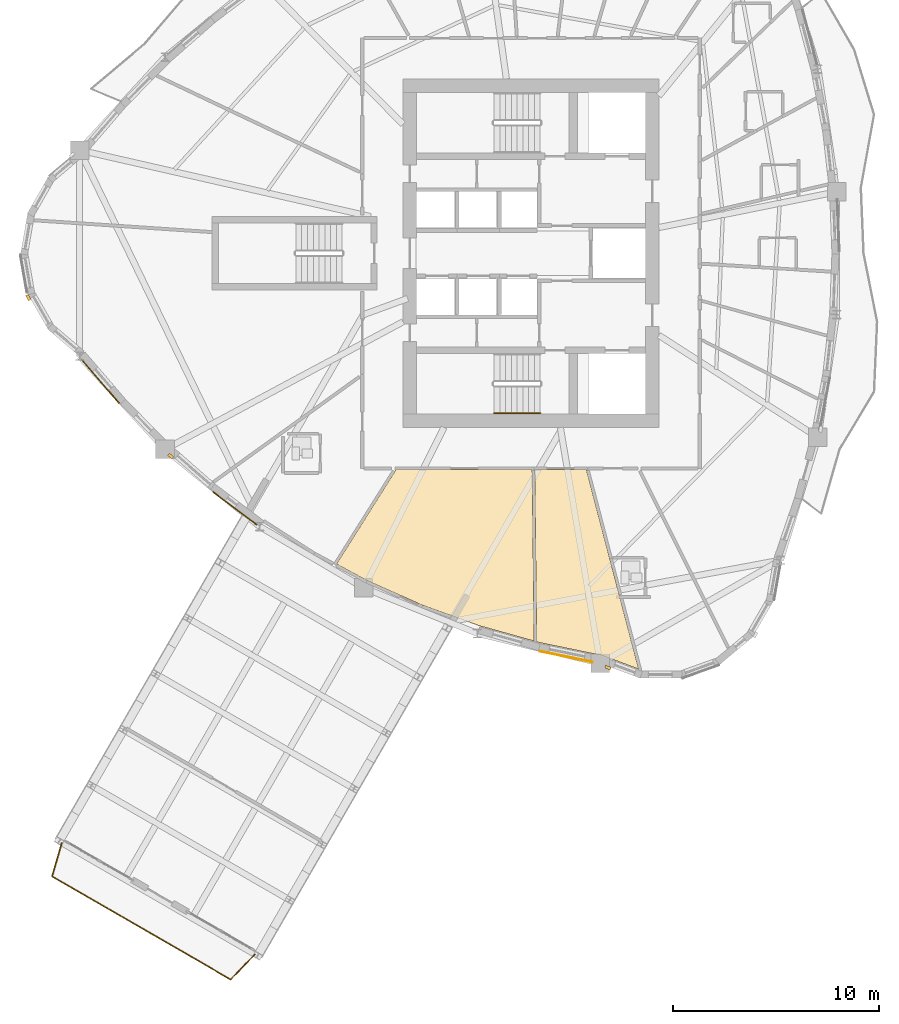
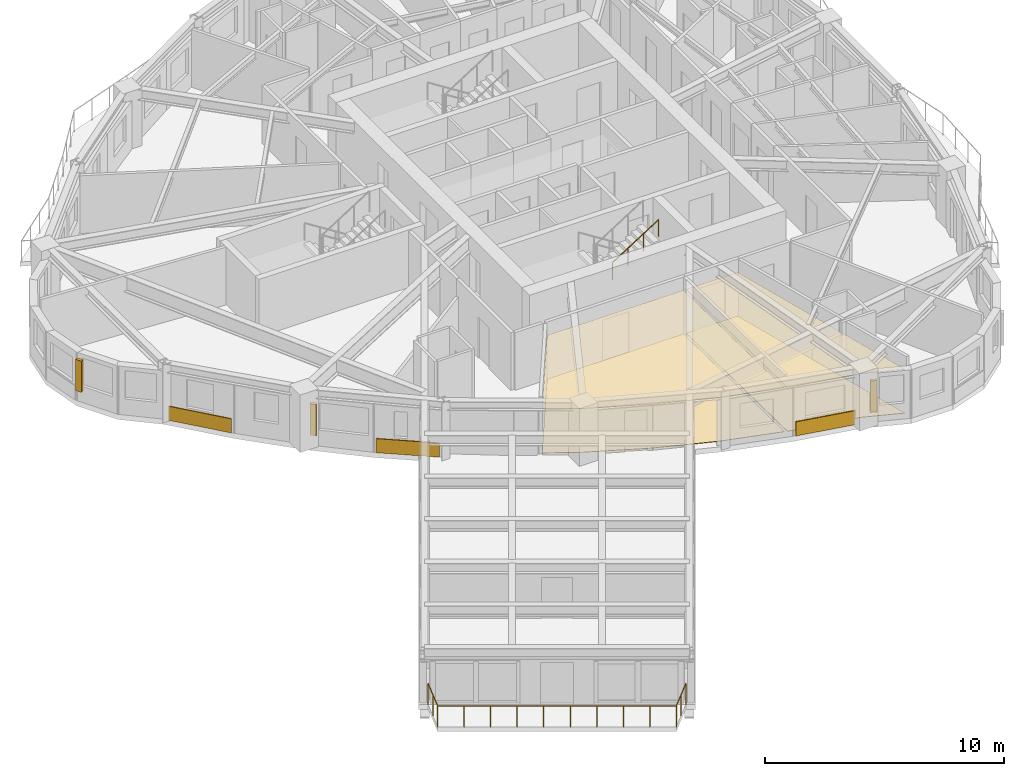
# One storey, part 12 of 17: 7 coverings, 3 shading devices, 2 railings.
"""IFC4 building model written with IfcOpenShell, lengths in metres."""

from ifc_helpers import new_model, si_unit, direction, frame, origin, origin_2d, place, context, subcontext, project, spatial, polyline, rectangle, circle, outline, extrude, source, transform, mapped, material, layer, layer_set, type_object, element, save


model = new_model("IFC4")

# Units and contexts
model_context = context("Model", 3, precision=1e-05, world=origin(), true_north=direction((0.0, 1.0)))
body_context = subcontext(model_context, "Body", "Model", "MODEL_VIEW")
ifc_project = project(units=[si_unit("LENGTHUNIT", "METRE"), si_unit("AREAUNIT", "SQUARE_METRE"), si_unit("VOLUMEUNIT", "CUBIC_METRE"), si_unit("PLANEANGLEUNIT", "RADIAN"), si_unit("MASSUNIT", "GRAM", prefix="KILO")], contexts=[model_context])

# Site, building, storey
site_placement = place(None, origin())
site = spatial("IfcSite", under=ifc_project, at=site_placement, CompositionType="ELEMENT")
building_placement = place(site_placement, origin())
building = spatial("IfcBuilding", under=site, at=building_placement, Name="Qafzar Sky-Pleat Residences", CompositionType="ELEMENT")
storey_placement = place(building_placement, frame((0.0, 0.0, 115.199951171875)))
storey = spatial("IfcBuildingStorey", under=building, at=storey_placement, Name="L34", CompositionType="ELEMENT", Elevation=115.199951171875)

# Coverings
ifc_material_1 = material(Name="Perforated acoustic gypsum board ceiling")
ifc_layer_1 = layer(ifc_material_1, 0.02001953125)
ifc_layer_set_1 = layer_set([ifc_layer_1], Name="Perforated acoustic gypsum board ceiling")
covering_type_1 = type_object("IfcCoveringType", Name="COV-CEIL-ACOUSTIC", PredefinedType="CEILING", material=ifc_layer_set_1)
covering_1_placement = place(storey_placement, frame((0.0, 0.0, 2.239990234375)))
element("IfcCovering", 1, at=covering_1_placement, inside=storey, type_object=covering_type_1, Name="L34 Co-Living Lounge Acoustic Ceiling", PredefinedType="CEILING", context=body_context, shape_type="SweptSolid", body=[
    extrude(outline(polyline([(27.872314453125, 7.941162109375), (25.09375, 8.939697265625), (22.427734375, 10.127685546875), (20.929443359375, 10.93603515625), (23.811279296875, 15.510009765625), (30.41162109375, 15.510009765625), (30.50830078125, 7.203857421875), (27.872314453125, 7.941162109375)])), origin(), (0.0, 0.0, 1.0), 0.02001953125),
])
covering_2_placement = place(storey_placement, frame((0.0, 0.0, 2.239990234375)))
element("IfcCovering", 2, at=covering_2_placement, inside=storey, type_object=covering_type_1, Name="L34 Communal Kitchen Acoustic Ceiling", PredefinedType="CEILING", context=body_context, shape_type="SweptSolid", body=[
    extrude(outline(polyline([(33.8125, 6.504150390625), (30.764404296875, 7.132080078125), (30.628662109375, 7.170166015625), (30.53173828125, 15.510009765625), (33.03759765625, 15.510009765625), (35.570556640625, 5.84765625), (33.8125, 6.504150390625)])), origin(), (0.0, 0.0, 1.0), 0.02001953125),
])
ifc_material_2 = material(Name="Honed porcelain and Riyadh stone tile flooring", Category="masonry")
ifc_layer_2 = layer(ifc_material_2, 0.02001953125)
ifc_layer_set_2 = layer_set([ifc_layer_2], Name="Honed porcelain and Riyadh stone tile flooring")
covering_type_2 = type_object("IfcCoveringType", Name="COV-FLR-PORCELAIN", PredefinedType="FLOORING", material=ifc_layer_set_2)
covering_3_placement = place(storey_placement, origin())
element("IfcCovering", 3, at=covering_3_placement, inside=storey, type_object=covering_type_2, Name="L34 Co-Living Lounge Honed Stone Flooring", PredefinedType="FLOORING", context=body_context, shape_type="SweptSolid", body=[
    extrude(outline(polyline([(27.872314453125, 7.941162109375), (25.09375, 8.939697265625), (22.427734375, 10.127685546875), (20.929443359375, 10.93603515625), (23.811279296875, 15.510009765625), (30.41162109375, 15.510009765625), (30.50830078125, 7.203857421875), (27.872314453125, 7.941162109375)])), origin(), (0.0, 0.0, 1.0), 0.02001953125),
])
covering_4_placement = place(storey_placement, origin())
element("IfcCovering", 4, at=covering_4_placement, inside=storey, type_object=covering_type_2, Name="L34 Communal Kitchen Honed Stone Flooring", PredefinedType="FLOORING", context=body_context, shape_type="SweptSolid", body=[
    extrude(outline(polyline([(33.8125, 6.504150390625), (30.764404296875, 7.132080078125), (30.628662109375, 7.170166015625), (30.53173828125, 15.510009765625), (33.03759765625, 15.510009765625), (35.570556640625, 5.84765625), (33.8125, 6.504150390625)])), origin(), (0.0, 0.0, 1.0), 0.02001953125),
])

# Shading devices
ifc_material_3 = material(Name="Honed Riyadh limestone solar fin", Category="masonry")
ifc_layer_3 = layer(ifc_material_3, 0.139892578125)
ifc_layer_set_3 = layer_set([ifc_layer_3], Name="Honed Riyadh limestone solar fin")
shading_device_type = type_object("IfcShadingDeviceType", Name="SHD-FIN-STONE", PredefinedType="SHUTTER", material=ifc_layer_set_3)
shared_shape_1 = source(origin(), body_context, "Body", "SweptSolid", [
    extrude(rectangle(XDim=0.139892578125, YDim=0.280029296875, at=origin_2d()), origin(), (0.0, 0.0, 1.0), 1.60009765625),
])
for number, where, z_axis, x_axis, name in (
    (5, (5.99072265625, 23.854248046875, 0.60009765625), (0.0, 0.0, 1.0), (-0.868298604268, -0.49604186701, 0.0), "L34 Limestone Solar Fin 5"),
    (6, (12.888427734375, 16.168701171875, 0.60009765625), (0.0, 0.0, 1.0), (-0.659766988526, -0.751470239498, 0.0), "L34 Limestone Solar Fin 9"),
    (7, (34.080810546875, 5.918212890625, 0.60009765625), (0.0, 0.0, 1.0), (-0.349882583119, -0.93679356212, 0.0), "L34 Limestone Solar Fin 17"),
):
    element("IfcShadingDevice", number, at=place(storey_placement, frame(where, z_axis=z_axis, x_axis=x_axis)), inside=storey, type_object=shading_device_type, Name=name, PredefinedType="SHUTTER", context=body_context, shape_type="MappedRepresentation", body=[
        mapped(shared_shape_1, transform((0.0, 0.0, 0.0), x_axis=(1.0, 0.0, 0.0), y_axis=(0.0, 1.0, 0.0), z_axis=(0.0, 0.0, 1.0), scale=1.0)),
    ])

# Coverings
ifc_material_4 = material(Name="Honed Riyadh Tuwaiq limestone cladding", Category="masonry")
ifc_layer_4 = layer(ifc_material_4, 0.044921875)
ifc_layer_set_4 = layer_set([ifc_layer_4], Name="Honed Riyadh Tuwaiq limestone cladding")
covering_type_3 = type_object("IfcCoveringType", Name="COV-CLAD-STONE", PredefinedType="CLADDING", material=ifc_layer_set_4)
shared_shape_2 = source(origin(), body_context, "Body", "SweptSolid", [
    extrude(rectangle(XDim=2.802001953125, YDim=0.044921875, at=origin_2d()), origin(), (0.0, 0.0, 1.0), 0.719970703125),
])
covering_5_placement = place(storey_placement, frame((9.4833984375, 19.792236328125, 0.02001953125), z_axis=(0.0, 0.0, 1.0), x_axis=(0.65073846938, -0.759301945519, 0.0)))
element("IfcCovering", 8, at=covering_5_placement, inside=storey, type_object=covering_type_3, Name="L34 Riyadh Limestone Spandrel Cladding 7", PredefinedType="CLADDING", context=body_context, shape_type="MappedRepresentation", body=[
    mapped(shared_shape_2, transform((0.0, 0.0, 0.0), x_axis=(1.0, 0.0, 0.0), y_axis=(0.0, 1.0, 0.0), z_axis=(0.0, 0.0, 1.0), scale=1.0)),
])
shared_shape_3 = source(origin(), body_context, "Body", "SweptSolid", [
    extrude(rectangle(XDim=2.669189453125, YDim=0.044921875, at=origin_2d()), origin(), (0.0, 0.0, 1.0), 0.719970703125),
])
covering_6_placement = place(storey_placement, frame((15.996337890625, 13.64013671875, 0.02001953125), z_axis=(0.0, 0.0, 1.0), x_axis=(0.798370512802, -0.60216652538, 0.0)))
element("IfcCovering", 9, at=covering_6_placement, inside=storey, type_object=covering_type_3, Name="L34 Riyadh Limestone Spandrel Cladding 10", PredefinedType="CLADDING", context=body_context, shape_type="MappedRepresentation", body=[
    mapped(shared_shape_3, transform((0.0, 0.0, 0.0), x_axis=(1.0, 0.0, 0.0), y_axis=(0.0, 1.0, 0.0), z_axis=(0.0, 0.0, 1.0), scale=1.0)),
])
shared_shape_4 = source(origin(), body_context, "Body", "SweptSolid", [
    extrude(rectangle(XDim=2.613037109375, YDim=0.044921875, at=origin_2d()), origin(), (0.0, 0.0, 1.0), 0.719970703125),
])
covering_7_placement = place(storey_placement, frame((32.052734375, 6.4462890625, 0.02001953125), z_axis=(0.0, 0.0, 1.0), x_axis=(0.979420813579, -0.201828813425, 0.0)))
element("IfcCovering", 10, at=covering_7_placement, inside=storey, type_object=covering_type_3, Name="L34 Riyadh Limestone Spandrel Cladding 16", PredefinedType="CLADDING", context=body_context, shape_type="MappedRepresentation", body=[
    mapped(shared_shape_4, transform((0.0, 0.0, 0.0), x_axis=(1.0, 0.0, 0.0), y_axis=(0.0, 1.0, 0.0), z_axis=(0.0, 0.0, 1.0), scale=1.0)),
])

# Railings
ifc_material_5 = material(Name="Laminated glass and bronze steel balustrade", Category="steel")
railing_type_1 = type_object("IfcRailingType", Name="RAIL-BAL-1100", PredefinedType="BALUSTRADE", material=ifc_material_5)
shared_shape_5 = source(origin(), body_context, "Body", "SweptSolid", [
    extrude(circle(Radius=0.02392578125, at=origin_2d()), frame((0.0, 0.0, 1.076171875), z_axis=(-0.279927595133, -0.960021115123, 0.0), x_axis=(0.960021115123, -0.279927595133, 0.0)), (0.0, 0.0, 1.0), 1.683349609375),
    extrude(circle(Radius=0.02392578125, at=origin_2d()), frame((-0.47119140625, -1.615966796875, 1.076171875), z_axis=(0.866022959057, -0.500004234368, 0.0), x_axis=(0.500004234368, 0.866022959057, 0.0)), (0.0, 0.0, 1.0), 10.0),
    extrude(circle(Radius=0.02392578125, at=origin_2d()), frame((8.18896484375, -6.615966796875, 1.076171875), z_axis=(0.691565058833, 0.722314176381, 0.0), x_axis=(-0.722314176381, 0.691565058833, 0.0)), (0.0, 0.0, 1.0), 1.683349609375),
    extrude(circle(Radius=0.02099609375, at=origin_2d()), origin(), (0.0, 0.0, 1.0), 1.052001953125),
    extrude(circle(Radius=0.02099609375, at=origin_2d()), frame((-0.235595703125, -0.80810546875, 0.0)), (0.0, 0.0, 1.0), 1.052001953125),
    extrude(circle(Radius=0.02099609375, at=origin_2d()), frame((-0.47119140625, -1.615966796875, 0.0)), (0.0, 0.0, 1.0), 1.052001953125),
    extrude(circle(Radius=0.02099609375, at=origin_2d()), frame((0.490966796875, -2.171630859375, 0.0)), (0.0, 0.0, 1.0), 1.052001953125),
    extrude(circle(Radius=0.02099609375, at=origin_2d()), frame((1.453369140625, -2.72705078125, 0.0)), (0.0, 0.0, 1.0), 1.052001953125),
    extrude(circle(Radius=0.02099609375, at=origin_2d()), frame((2.41552734375, -3.28271484375, 0.0)), (0.0, 0.0, 1.0), 1.052001953125),
    extrude(circle(Radius=0.02099609375, at=origin_2d()), frame((3.377685546875, -3.838134765625, 0.0)), (0.0, 0.0, 1.0), 1.052001953125),
    extrude(circle(Radius=0.02099609375, at=origin_2d()), frame((4.340087890625, -4.393798828125, 0.0)), (0.0, 0.0, 1.0), 1.052001953125),
    extrude(circle(Radius=0.02099609375, at=origin_2d()), frame((5.30224609375, -4.94921875, 0.0)), (0.0, 0.0, 1.0), 1.052001953125),
    extrude(circle(Radius=0.02099609375, at=origin_2d()), frame((6.264404296875, -5.5048828125, 0.0)), (0.0, 0.0, 1.0), 1.052001953125),
    extrude(circle(Radius=0.02099609375, at=origin_2d()), frame((7.226806640625, -6.060302734375, 0.0)), (0.0, 0.0, 1.0), 1.052001953125),
    extrude(circle(Radius=0.02099609375, at=origin_2d()), frame((8.18896484375, -6.615966796875, 0.0)), (0.0, 0.0, 1.0), 1.052001953125),
    extrude(circle(Radius=0.02099609375, at=origin_2d()), frame((8.77099609375, -6.008056640625, 0.0)), (0.0, 0.0, 1.0), 1.052001953125),
    extrude(circle(Radius=0.02099609375, at=origin_2d()), frame((9.35302734375, -5.400146484375, 0.0)), (0.0, 0.0, 1.0), 1.052001953125),
])
railing_1_placement = place(storey_placement, frame((7.61083984375, -2.58544921875, 0.0)))
element("IfcRailing", 11, at=railing_1_placement, inside=storey, type_object=railing_type_1, Name="L34 SB-3 Tip Observation Balcony Balustrade", PredefinedType="BALUSTRADE", context=body_context, shape_type="MappedRepresentation", body=[
    mapped(shared_shape_5, transform((0.0, 0.0, 0.0), x_axis=(1.0, 0.0, 0.0), y_axis=(0.0, 1.0, 0.0), z_axis=(0.0, 0.0, 1.0), scale=1.0)),
])
ifc_material_6 = material(Name="Brushed stainless steel handrail", Category="steel")
railing_type_2 = type_object("IfcRailingType", Name="RAIL-STAIR-HAND", PredefinedType="HANDRAIL", material=ifc_material_6)
shared_shape_6 = source(origin(), body_context, "Body", "SweptSolid", [
    extrude(circle(Radius=0.02392578125, at=origin_2d()), frame((0.0, 0.0, 0.8759765625), z_axis=(0.8442293374, 0.0, 0.53598211339), x_axis=(0.0, 1.0, 0.0)), (0.0, 0.0, 1.0), 2.6533203125),
    extrude(circle(Radius=0.02099609375, at=origin_2d()), origin(), (0.0, 0.0, 1.0), 0.851806640625),
    extrude(circle(Radius=0.02099609375, at=origin_2d()), frame((0.74658203125, 0.0, 0.47412109375)), (0.0, 0.0, 1.0), 0.851806640625),
    extrude(circle(Radius=0.02099609375, at=origin_2d()), frame((1.493408203125, 0.0, 0.947998046875)), (0.0, 0.0, 1.0), 0.851806640625),
    extrude(circle(Radius=0.02099609375, at=origin_2d()), frame((2.239990234375, 0.0, 1.422119140625)), (0.0, 0.0, 1.0), 0.851806640625),
])
railing_2_placement = place(storey_placement, frame((28.56005859375, 18.25, 1.77783203125)))
element("IfcRailing", 12, at=railing_2_placement, inside=storey, type_object=railing_type_2, Name="L34 ST1 stair handrail 2", PredefinedType="HANDRAIL", context=body_context, shape_type="MappedRepresentation", body=[
    mapped(shared_shape_6, transform((0.0, 0.0, 0.0), x_axis=(1.0, 0.0, 0.0), y_axis=(0.0, 1.0, 0.0), z_axis=(0.0, 0.0, 1.0), scale=1.0)),
])

save(model, "model.ifc")
